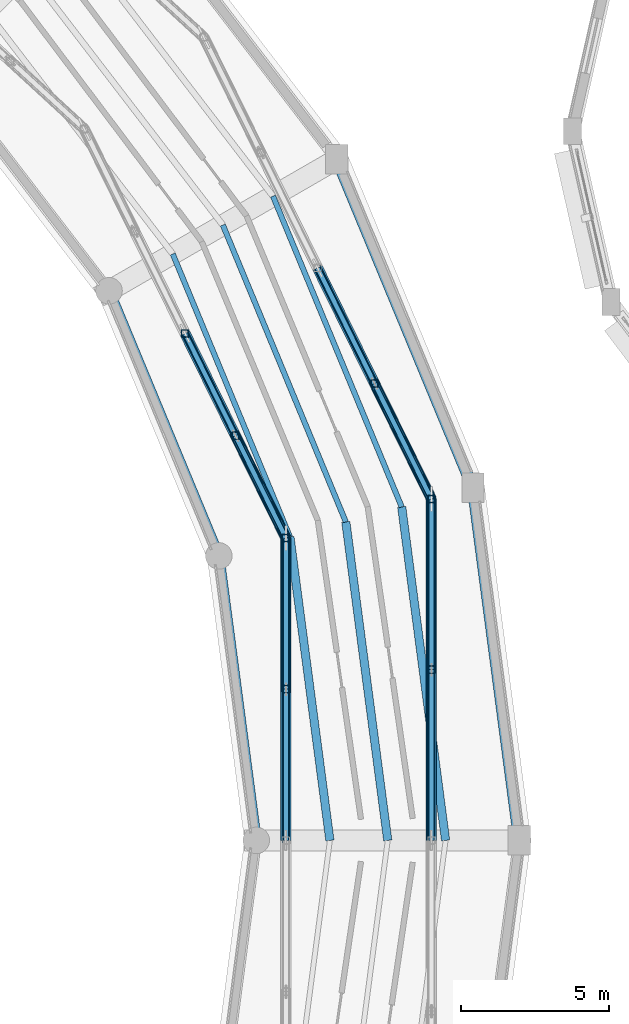
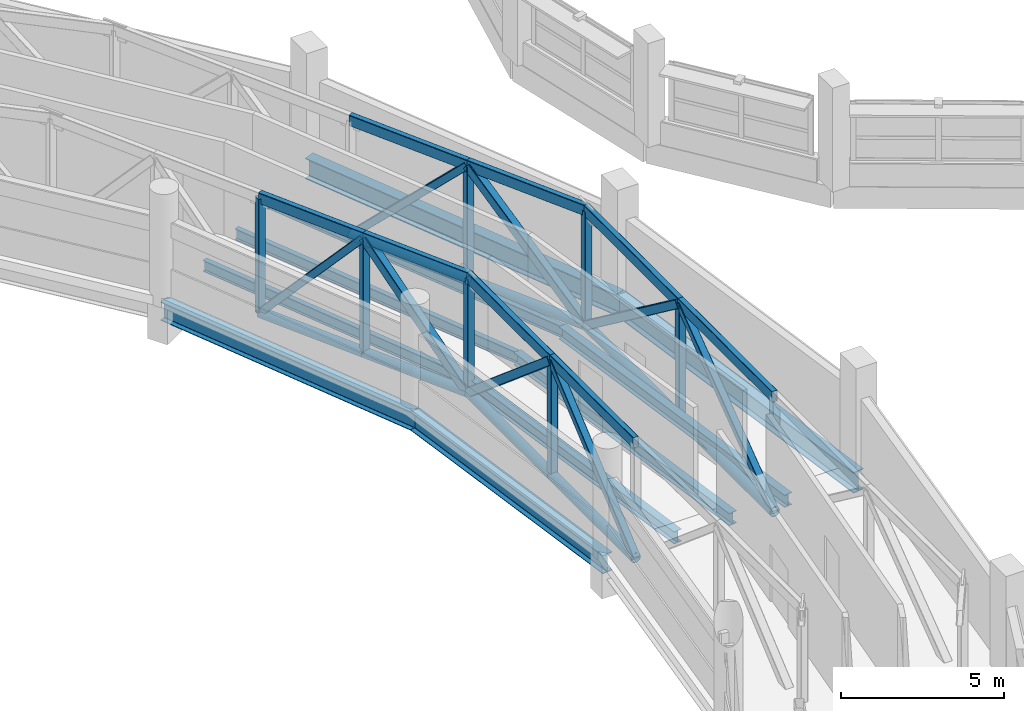
# One storey, part 50 of 121: 31 members, 10 beams.
"""IFC4 building model written with IfcOpenShell, lengths in metres."""

from ifc_helpers import new_model, si_unit, direction, frame, origin, origin_2d, place, context, subcontext, project, spatial, hollow_rectangle, hollow_circle, i_section, extrude, material, material_profile, profile_set, type_object, element, save


model = new_model("IFC4")

# Units and contexts
model_context = context("Model", 3, precision=1e-05, world=origin(), true_north=direction((0.0, 1.0)))
body_context = subcontext(model_context, "Body", "Model", "MODEL_VIEW")
ifc_project = project(units=[si_unit("LENGTHUNIT", "METRE"), si_unit("AREAUNIT", "SQUARE_METRE"), si_unit("VOLUMEUNIT", "CUBIC_METRE"), si_unit("PLANEANGLEUNIT", "RADIAN"), si_unit("MASSUNIT", "GRAM", prefix="KILO")], contexts=[model_context])

# Site, building, storey
site_placement = place(None, origin())
site = spatial("IfcSite", under=ifc_project, at=site_placement, CompositionType="ELEMENT")
building_placement = place(site_placement, origin())
building = spatial("IfcBuilding", under=site, at=building_placement, Name="Vespera Passage Community Centre", CompositionType="ELEMENT")
storey_placement = place(building_placement, frame((0.0, 0.0, 8.699951171875)))
storey = spatial("IfcBuildingStorey", under=building, at=storey_placement, Name="L02", CompositionType="ELEMENT", Elevation=8.699951171875)

# Members
ifc_material_1 = material(Name="Steel ASTM A500 Grade C", Category="steel")
ifc_material_profile_1 = material_profile(ifc_material_1, hollow_circle(Radius=0.177734375, WallThickness=0.014892578125, at=origin_2d()), Name="CHS356X15.9")
ifc_profile_set_1 = profile_set([ifc_material_profile_1], Name="Steel ASTM A500 Grade C")
member_type_1 = type_object("IfcMemberType", Name="BC-356", PredefinedType="CHORD", material=ifc_profile_set_1)
member_1_placement = place(storey_placement, frame((121.128662109375, 65.5, -0.849853515625), z_axis=(0.0, 1.0, 0.0), x_axis=(-1.0, 0.0, 0.0)))
element("IfcMember", 1, at=member_1_placement, inside=storey, type_object=member_type_1, Name="BC-356 Transfer Truss Chord TR5O.3", PredefinedType="CHORD", context=body_context, shape_type="SweptSolid", body=[
    extrude(hollow_circle(Radius=0.177734375, WallThickness=0.014892578125, at=origin_2d()), origin(), (0.0, 0.0, 1.0), 5.778076171875),
])
member_2_placement = place(storey_placement, frame((121.128662109375, 71.278076171875, -0.849853515625), z_axis=(0.0, 1.0, 0.0), x_axis=(-1.0, 0.0, 0.0)))
element("IfcMember", 2, at=member_2_placement, inside=storey, type_object=member_type_1, Name="BC-356 Transfer Truss Chord TR5O.4", PredefinedType="CHORD", context=body_context, shape_type="SweptSolid", body=[
    extrude(hollow_circle(Radius=0.177734375, WallThickness=0.014892578125, at=origin_2d()), origin(), (0.0, 0.0, 1.0), 5.7783203125),
])
for number, where, z_axis, x_axis, name in (
    (3, (116.202392578125, 65.5, -0.849853515625), (0.0, 1.0, 0.0), (-1.0, 0.0, 0.0), "BC-356 Transfer Truss Chord TR5I.3"),
    (4, (116.202392578125, 70.6181640625, -0.849853515625), (0.0, 1.0, 0.0), (-1.0, 0.0, 0.0), "BC-356 Transfer Truss Chord TR5I.4"),
):
    element("IfcMember", number, at=place(storey_placement, frame(where, z_axis=z_axis, x_axis=x_axis)), inside=storey, type_object=member_type_1, Name=name, PredefinedType="CHORD", context=body_context, shape_type="SweptSolid", body=[
        extrude(hollow_circle(Radius=0.177734375, WallThickness=0.014892578125, at=origin_2d()), origin(), (0.0, 0.0, 1.0), 5.1181640625),
    ])
member_3_placement = place(storey_placement, frame((121.128662109375, 77.056396484375, -0.849853515625), z_axis=(-0.442296190279, 0.896869042873, 0.0), x_axis=(-0.896869042873, -0.442296190279, 0.0)))
element("IfcMember", 5, at=member_3_placement, inside=storey, type_object=member_type_1, Name="BC-356 Transfer Truss Chord TR6O.1", PredefinedType="CHORD", context=body_context, shape_type="SweptSolid", body=[
    extrude(hollow_circle(Radius=0.177734375, WallThickness=0.014892578125, at=origin_2d()), origin(), (0.0, 0.0, 1.0), 4.355224609375),
])
member_4_placement = place(storey_placement, frame((119.202392578125, 80.96240234375, -0.849853515625), z_axis=(-0.442296807429, 0.896868738522, 0.0), x_axis=(-0.896868738522, -0.442296807429, 0.0)))
element("IfcMember", 6, at=member_4_placement, inside=storey, type_object=member_type_1, Name="BC-356 Transfer Truss Chord TR6O.2", PredefinedType="CHORD", context=body_context, shape_type="SweptSolid", body=[
    extrude(hollow_circle(Radius=0.177734375, WallThickness=0.014892578125, at=origin_2d()), origin(), (0.0, 0.0, 1.0), 4.355712890625),
])
member_5_placement = place(storey_placement, frame((116.202392578125, 75.736328125, -0.849853515625), z_axis=(-0.44229597074, 0.896869151141, 0.0), x_axis=(-0.896869151141, -0.44229597074, 0.0)))
element("IfcMember", 7, at=member_5_placement, inside=storey, type_object=member_type_1, Name="BC-356 Transfer Truss Chord TR6I.1", PredefinedType="CHORD", context=body_context, shape_type="SweptSolid", body=[
    extrude(hollow_circle(Radius=0.177734375, WallThickness=0.014892578125, at=origin_2d()), origin(), (0.0, 0.0, 1.0), 3.85791015625),
])
member_6_placement = place(storey_placement, frame((114.49609375, 79.1962890625, -0.849853515625), z_axis=(-0.44227086816, 0.89688153018, 0.0), x_axis=(-0.89688153018, -0.44227086816, 0.0)))
element("IfcMember", 8, at=member_6_placement, inside=storey, type_object=member_type_1, Name="BC-356 Transfer Truss Chord TR6I.2", PredefinedType="CHORD", context=body_context, shape_type="SweptSolid", body=[
    extrude(hollow_circle(Radius=0.177734375, WallThickness=0.014892578125, at=origin_2d()), origin(), (0.0, 0.0, 1.0), 3.858154296875),
])

# Beams
ifc_material_2 = material(Name="Steel ASTM A992 Grade 50", Category="steel")
ifc_material_profile_2 = material_profile(ifc_material_2, i_section(OverallWidth=0.180908203125, OverallDepth=0.417236328125, WebThickness=0.010986328125, FlangeThickness=0.018310546875, FilletRadius=0.01025390625, at=origin_2d()), Name="W16X57")
ifc_profile_set_2 = profile_set([ifc_material_profile_2], Name="Steel ASTM A992 Grade 50")
beam_type_1 = type_object("IfcBeamType", Name="BM-J-W16X57", PredefinedType="JOIST", material=ifc_profile_set_2)
beam_1_placement = place(storey_placement, frame((116.339599609375, 75.773193359375, -0.548583984375), z_axis=(-0.382697233288, 0.923873815861, 0.0), x_axis=(-0.923873815861, -0.382697233288, 0.0)))
element("IfcBeam", 9, at=beam_1_placement, inside=storey, type_object=beam_type_1, Name="V4 L02 Floor Joist 1.1", PredefinedType="JOIST", context=body_context, shape_type="SweptSolid", body=[
    extrude(i_section(OverallWidth=0.180908203125, OverallDepth=0.417236328125, WebThickness=0.010986328125, FlangeThickness=0.018310546875, FilletRadius=0.01025390625, at=origin_2d()), origin(), (0.0, 0.0, 1.0), 10.361572265625),
])
beam_2_placement = place(storey_placement, frame((118.230712890625, 76.27978515625, -0.548583984375), z_axis=(-0.382667773212, 0.923886018589, 0.0), x_axis=(-0.923886018589, -0.382667773212, 0.0)))
element("IfcBeam", 10, at=beam_2_placement, inside=storey, type_object=beam_type_1, Name="V4 L02 Floor Joist 1.2", PredefinedType="JOIST", context=body_context, shape_type="SweptSolid", body=[
    extrude(i_section(OverallWidth=0.180908203125, OverallDepth=0.417236328125, WebThickness=0.010986328125, FlangeThickness=0.018310546875, FilletRadius=0.01025390625, at=origin_2d()), origin(), (0.0, 0.0, 1.0), 10.872802734375),
])
beam_3_placement = place(storey_placement, frame((120.1220703125, 76.78662109375, -0.548583984375), z_axis=(-0.382685152097, 0.923878820173, 0.0), x_axis=(-0.923878820173, -0.382685152097, 0.0)))
element("IfcBeam", 11, at=beam_3_placement, inside=storey, type_object=beam_type_1, Name="V4 L02 Floor Joist 1.3", PredefinedType="JOIST", context=body_context, shape_type="SweptSolid", body=[
    extrude(i_section(OverallWidth=0.180908203125, OverallDepth=0.417236328125, WebThickness=0.010986328125, FlangeThickness=0.018310546875, FilletRadius=0.01025390625, at=origin_2d()), origin(), (0.0, 0.0, 1.0), 11.3837890625),
])
ifc_material_3 = material(Name="Steel ASTM A992 Grade 50", Category="steel")
ifc_material_profile_3 = material_profile(ifc_material_3, i_section(OverallWidth=0.280517578125, OverallDepth=0.46240234375, WebThickness=0.0107421875, FlangeThickness=0.017333984375, FilletRadius=0.01025390625, at=origin_2d()), Name="W18X76")
ifc_profile_set_3 = profile_set([ifc_material_profile_3], Name="Steel ASTM A992 Grade 50")
beam_type_2 = type_object("IfcBeamType", Name="BM-J-W18X76", PredefinedType="JOIST", material=ifc_profile_set_3)
beam_4_placement = place(storey_placement, frame((117.69189453125, 65.5, -0.571044921875), z_axis=(-0.130507537947, 0.991447317077, 0.0), x_axis=(-0.991447317077, -0.130507537947, 0.0)))
element("IfcBeam", 12, at=beam_4_placement, inside=storey, type_object=beam_type_2, Name="V4 L02 Floor Joist 0.1", PredefinedType="JOIST", context=body_context, shape_type="SweptSolid", body=[
    extrude(i_section(OverallWidth=0.280517578125, OverallDepth=0.46240234375, WebThickness=0.0107421875, FlangeThickness=0.017333984375, FilletRadius=0.01025390625, at=origin_2d()), origin(), (0.0, 0.0, 1.0), 10.36181640625),
])
beam_5_placement = place(storey_placement, frame((119.64990234375, 65.5, -0.571044921875), z_axis=(-0.130526537014, 0.991444815981, 0.0), x_axis=(-0.991444815981, -0.130526537014, 0.0)))
element("IfcBeam", 13, at=beam_5_placement, inside=storey, type_object=beam_type_2, Name="V4 L02 Floor Joist 0.2", PredefinedType="JOIST", context=body_context, shape_type="SweptSolid", body=[
    extrude(i_section(OverallWidth=0.280517578125, OverallDepth=0.46240234375, WebThickness=0.0107421875, FlangeThickness=0.017333984375, FilletRadius=0.01025390625, at=origin_2d()), origin(), (0.0, 0.0, 1.0), 10.872802734375),
])
beam_6_placement = place(storey_placement, frame((121.60791015625, 65.5, -0.571044921875), z_axis=(-0.130519974222, 0.991445679969, 0.0), x_axis=(-0.991445679969, -0.130519974222, 0.0)))
element("IfcBeam", 14, at=beam_6_placement, inside=storey, type_object=beam_type_2, Name="V4 L02 Floor Joist 0.3", PredefinedType="JOIST", context=body_context, shape_type="SweptSolid", body=[
    extrude(i_section(OverallWidth=0.280517578125, OverallDepth=0.46240234375, WebThickness=0.0107421875, FlangeThickness=0.017333984375, FilletRadius=0.01025390625, at=origin_2d()), origin(), (0.0, 0.0, 1.0), 11.384033203125),
])
ifc_material_4 = material(Name="Steel ASTM A992 Grade 50", Category="steel")
ifc_material_profile_4 = material_profile(ifc_material_4, i_section(OverallWidth=0.3544921875, OverallDepth=0.695556640625, WebThickness=0.015380859375, FlangeThickness=0.024658203125, FilletRadius=0.01513671875, at=origin_2d()), Name="W27X146")
ifc_profile_set_4 = profile_set([ifc_material_profile_4], Name="Steel ASTM A992 Grade 50")
beam_type_3 = type_object("IfcBeamType", Name="BM-SP-W27X146E", PredefinedType="SPANDREL", material=ifc_profile_set_4)
for number, where, z_axis, x_axis, name in (
    (15, (115.199951171875, 65.5, -0.687744140625), (-0.130526697639, 0.991444794834, 0.0), (-0.991444794834, -0.130526697639, 0.0), "V4 L02 Inner Spandrel 0"),
    (16, (113.932373046875, 75.128173828125, -0.687744140625), (-0.382684844258, 0.923878947685, 0.0), (-0.923878947685, -0.382684844258, 0.0), "V4 L02 Inner Spandrel 1"),
):
    element("IfcBeam", number, at=place(storey_placement, frame(where, z_axis=z_axis, x_axis=x_axis)), inside=storey, type_object=beam_type_3, Name=name, PredefinedType="SPANDREL", context=body_context, shape_type="SweptSolid", body=[
        extrude(i_section(OverallWidth=0.3544921875, OverallDepth=0.695556640625, WebThickness=0.015380859375, FlangeThickness=0.024658203125, FilletRadius=0.01513671875, at=origin_2d()), origin(), (0.0, 0.0, 1.0), 9.711181640625),
    ])
ifc_material_5 = material(Name="Steel ASTM A992 Grade 50", Category="steel")
ifc_material_profile_5 = material_profile(ifc_material_5, i_section(OverallWidth=0.382080078125, OverallDepth=0.779296875, WebThickness=0.01806640625, FlangeThickness=0.030029296875, FilletRadius=0.0166015625, at=origin_2d()), Name="W30X191")
ifc_profile_set_5 = profile_set([ifc_material_profile_5], Name="Steel ASTM A992 Grade 50")
beam_type_4 = type_object("IfcBeamType", Name="BM-SP-W30X191E", PredefinedType="SPANDREL", material=ifc_profile_set_5)
beam_7_placement = place(storey_placement, frame((124.10009765625, 65.5, -0.729736328125), z_axis=(-0.130523782115, 0.991445178667, 0.0), x_axis=(-0.991445178667, -0.130523782115, 0.0)))
element("IfcBeam", 17, at=beam_7_placement, inside=storey, type_object=beam_type_4, Name="V4 L02 Outer Spandrel 0", PredefinedType="SPANDREL", context=body_context, shape_type="SweptSolid", body=[
    extrude(i_section(OverallWidth=0.382080078125, OverallDepth=0.779296875, WebThickness=0.01806640625, FlangeThickness=0.030029296875, FilletRadius=0.0166015625, at=origin_2d()), origin(), (0.0, 0.0, 1.0), 12.03466796875),
])
beam_8_placement = place(storey_placement, frame((122.529296875, 77.431640625, -0.729736328125), z_axis=(-0.382688629799, 0.923877379647, 0.0), x_axis=(-0.923877379647, -0.382688629799, 0.0)))
element("IfcBeam", 18, at=beam_8_placement, inside=storey, type_object=beam_type_4, Name="V4 L02 Outer Spandrel 1", PredefinedType="SPANDREL", context=body_context, shape_type="SweptSolid", body=[
    extrude(i_section(OverallWidth=0.382080078125, OverallDepth=0.779296875, WebThickness=0.01806640625, FlangeThickness=0.030029296875, FilletRadius=0.0166015625, at=origin_2d()), origin(), (0.0, 0.0, 1.0), 12.034423828125),
])

# Members
ifc_material_6 = material(Name="Steel ASTM A500 Grade C", Category="steel")
ifc_material_profile_6 = material_profile(ifc_material_6, hollow_rectangle(XDim=0.203125, YDim=0.406494140625, WallThickness=0.014892578125, InnerFilletRadius=0.014892578125, OuterFilletRadius=0.029541015625, at=origin_2d()), Name="HSS406X203X15.9")
ifc_profile_set_6 = profile_set([ifc_material_profile_6], Name="Steel ASTM A500 Grade C")
member_type_2 = type_object("IfcMemberType", Name="TC-406", PredefinedType="CHORD", material=ifc_profile_set_6)
member_7_placement = place(storey_placement, frame((121.128662109375, 65.5, 3.47998046875), z_axis=(0.0, 1.0, 0.0), x_axis=(-1.0, 0.0, 0.0)))
element("IfcMember", 19, at=member_7_placement, inside=storey, type_object=member_type_2, Name="TC-406 Transfer Truss Chord TR5O.3", PredefinedType="CHORD", context=body_context, shape_type="SweptSolid", body=[
    extrude(hollow_rectangle(XDim=0.203125, YDim=0.406494140625, WallThickness=0.014892578125, InnerFilletRadius=0.014892578125, OuterFilletRadius=0.029541015625, at=origin_2d()), origin(), (0.0, 0.0, 1.0), 5.778076171875),
])
member_8_placement = place(storey_placement, frame((121.128662109375, 71.278076171875, 3.47998046875), z_axis=(0.0, 1.0, 0.0), x_axis=(-1.0, 0.0, 0.0)))
element("IfcMember", 20, at=member_8_placement, inside=storey, type_object=member_type_2, Name="TC-406 Transfer Truss Chord TR5O.4", PredefinedType="CHORD", context=body_context, shape_type="SweptSolid", body=[
    extrude(hollow_rectangle(XDim=0.203125, YDim=0.406494140625, WallThickness=0.014892578125, InnerFilletRadius=0.014892578125, OuterFilletRadius=0.029541015625, at=origin_2d()), origin(), (0.0, 0.0, 1.0), 5.7783203125),
])
for number, where, z_axis, x_axis, name in (
    (21, (116.202392578125, 65.5, 3.47998046875), (0.0, 1.0, 0.0), (-1.0, 0.0, 0.0), "TC-406 Transfer Truss Chord TR5I.3"),
    (22, (116.202392578125, 70.6181640625, 3.47998046875), (0.0, 1.0, 0.0), (-1.0, 0.0, 0.0), "TC-406 Transfer Truss Chord TR5I.4"),
):
    element("IfcMember", number, at=place(storey_placement, frame(where, z_axis=z_axis, x_axis=x_axis)), inside=storey, type_object=member_type_2, Name=name, PredefinedType="CHORD", context=body_context, shape_type="SweptSolid", body=[
        extrude(hollow_rectangle(XDim=0.203125, YDim=0.406494140625, WallThickness=0.014892578125, InnerFilletRadius=0.014892578125, OuterFilletRadius=0.029541015625, at=origin_2d()), origin(), (0.0, 0.0, 1.0), 5.1181640625),
    ])
member_9_placement = place(storey_placement, frame((121.128662109375, 77.056396484375, 3.47998046875), z_axis=(-0.442296190279, 0.896869042873, 0.0), x_axis=(-0.896869042873, -0.442296190279, 0.0)))
element("IfcMember", 23, at=member_9_placement, inside=storey, type_object=member_type_2, Name="TC-406 Transfer Truss Chord TR6O.1", PredefinedType="CHORD", context=body_context, shape_type="SweptSolid", body=[
    extrude(hollow_rectangle(XDim=0.203125, YDim=0.406494140625, WallThickness=0.014892578125, InnerFilletRadius=0.014892578125, OuterFilletRadius=0.029541015625, at=origin_2d()), origin(), (0.0, 0.0, 1.0), 4.355224609375),
])
member_10_placement = place(storey_placement, frame((119.202392578125, 80.96240234375, 3.47998046875), z_axis=(-0.442296807429, 0.896868738522, 0.0), x_axis=(-0.896868738522, -0.442296807429, 0.0)))
element("IfcMember", 24, at=member_10_placement, inside=storey, type_object=member_type_2, Name="TC-406 Transfer Truss Chord TR6O.2", PredefinedType="CHORD", context=body_context, shape_type="SweptSolid", body=[
    extrude(hollow_rectangle(XDim=0.203125, YDim=0.406494140625, WallThickness=0.014892578125, InnerFilletRadius=0.014892578125, OuterFilletRadius=0.029541015625, at=origin_2d()), origin(), (0.0, 0.0, 1.0), 4.355712890625),
])
member_11_placement = place(storey_placement, frame((116.202392578125, 75.736328125, 3.47998046875), z_axis=(-0.44229597074, 0.896869151141, 0.0), x_axis=(-0.896869151141, -0.44229597074, 0.0)))
element("IfcMember", 25, at=member_11_placement, inside=storey, type_object=member_type_2, Name="TC-406 Transfer Truss Chord TR6I.1", PredefinedType="CHORD", context=body_context, shape_type="SweptSolid", body=[
    extrude(hollow_rectangle(XDim=0.203125, YDim=0.406494140625, WallThickness=0.014892578125, InnerFilletRadius=0.014892578125, OuterFilletRadius=0.029541015625, at=origin_2d()), origin(), (0.0, 0.0, 1.0), 3.85791015625),
])
member_12_placement = place(storey_placement, frame((114.49609375, 79.1962890625, 3.47998046875), z_axis=(-0.44227086816, 0.89688153018, 0.0), x_axis=(-0.89688153018, -0.44227086816, 0.0)))
element("IfcMember", 26, at=member_12_placement, inside=storey, type_object=member_type_2, Name="TC-406 Transfer Truss Chord TR6I.2", PredefinedType="CHORD", context=body_context, shape_type="SweptSolid", body=[
    extrude(hollow_rectangle(XDim=0.203125, YDim=0.406494140625, WallThickness=0.014892578125, InnerFilletRadius=0.014892578125, OuterFilletRadius=0.029541015625, at=origin_2d()), origin(), (0.0, 0.0, 1.0), 3.858154296875),
])
ifc_material_7 = material(Name="Steel ASTM A500 Grade C", Category="steel")
ifc_material_profile_7 = material_profile(ifc_material_7, hollow_rectangle(XDim=0.25390625, YDim=0.25390625, WallThickness=0.01171875, InnerFilletRadius=0.01171875, OuterFilletRadius=0.023681640625, at=origin_2d()), Name="HSS254X254X12.7")
ifc_profile_set_7 = profile_set([ifc_material_profile_7], Name="Steel ASTM A500 Grade C")
member_type_3 = type_object("IfcMemberType", Name="TD-254", PredefinedType="BRACE", material=ifc_profile_set_7)
member_13_placement = place(storey_placement, frame((121.128662109375, 65.5, -0.849853515625), z_axis=(0.0, 0.800247441598, 0.599669936061), x_axis=(-1.0, 0.0, 0.0)))
element("IfcMember", 27, at=member_13_placement, inside=storey, type_object=member_type_3, Name="TD-254 Transfer Truss Diagonal TR5O.3", PredefinedType="BRACE", context=body_context, shape_type="SweptSolid", body=[
    extrude(hollow_rectangle(XDim=0.25390625, YDim=0.25390625, WallThickness=0.01171875, InnerFilletRadius=0.01171875, OuterFilletRadius=0.023681640625, at=origin_2d()), origin(), (0.0, 0.0, 1.0), 7.220458984375),
])
member_14_placement = place(storey_placement, frame((116.202392578125, 65.5, -0.849853515625), z_axis=(0.0, 0.763453967275, 0.64586224526), x_axis=(-1.0, 0.0, 0.0)))
element("IfcMember", 28, at=member_14_placement, inside=storey, type_object=member_type_3, Name="TD-254 Transfer Truss Diagonal TR5I.3", PredefinedType="BRACE", context=body_context, shape_type="SweptSolid", body=[
    extrude(hollow_rectangle(XDim=0.25390625, YDim=0.25390625, WallThickness=0.01171875, InnerFilletRadius=0.01171875, OuterFilletRadius=0.023681640625, at=origin_2d()), origin(), (0.0, 0.0, 1.0), 6.703857421875),
])
member_15_placement = place(storey_placement, frame((119.202392578125, 80.96240234375, 3.47998046875), z_axis=(-0.313681190154, 0.636068017191, -0.704997580457), x_axis=(-0.896868738522, -0.442296807429, 0.0)))
element("IfcMember", 29, at=member_15_placement, inside=storey, type_object=member_type_3, Name="TD-254 Transfer Truss Diagonal TR6O.2", PredefinedType="BRACE", context=body_context, shape_type="SweptSolid", body=[
    extrude(hollow_rectangle(XDim=0.25390625, YDim=0.25390625, WallThickness=0.01171875, InnerFilletRadius=0.01171875, OuterFilletRadius=0.023681640625, at=origin_2d()), origin(), (0.0, 0.0, 1.0), 6.1416015625),
])
member_16_placement = place(storey_placement, frame((114.49609375, 79.1962890625, 3.47998046875), z_axis=(-0.294224714949, 0.596658589922, -0.746612579713), x_axis=(-0.89688153018, -0.44227086816, 0.0)))
element("IfcMember", 30, at=member_16_placement, inside=storey, type_object=member_type_3, Name="TD-254 Transfer Truss Diagonal TR6I.2", PredefinedType="BRACE", context=body_context, shape_type="SweptSolid", body=[
    extrude(hollow_rectangle(XDim=0.25390625, YDim=0.25390625, WallThickness=0.01171875, InnerFilletRadius=0.01171875, OuterFilletRadius=0.023681640625, at=origin_2d()), origin(), (0.0, 0.0, 1.0), 5.79931640625),
])
ifc_material_8 = material(Name="Steel ASTM A500 Grade C", Category="steel")
ifc_material_profile_8 = material_profile(ifc_material_8, hollow_rectangle(XDim=0.3046875, YDim=0.3046875, WallThickness=0.014892578125, InnerFilletRadius=0.014892578125, OuterFilletRadius=0.029541015625, at=origin_2d()), Name="HSS305X305X15.9")
ifc_profile_set_8 = profile_set([ifc_material_profile_8], Name="Steel ASTM A500 Grade C")
member_type_4 = type_object("IfcMemberType", Name="TD-305", PredefinedType="BRACE", material=ifc_profile_set_8)
member_17_placement = place(storey_placement, frame((121.128662109375, 71.278076171875, 3.47998046875), z_axis=(0.0, 0.800259600323, -0.599653710146), x_axis=(-1.0, 0.0, 0.0)))
element("IfcMember", 31, at=member_17_placement, inside=storey, type_object=member_type_4, Name="TD-305 Transfer Truss Diagonal TR5O.4", PredefinedType="BRACE", context=body_context, shape_type="SweptSolid", body=[
    extrude(hollow_rectangle(XDim=0.3046875, YDim=0.3046875, WallThickness=0.014892578125, InnerFilletRadius=0.014892578125, OuterFilletRadius=0.029541015625, at=origin_2d()), origin(), (0.0, 0.0, 1.0), 7.220458984375),
])
member_18_placement = place(storey_placement, frame((116.202392578125, 70.6181640625, 3.47998046875), z_axis=(0.0, 0.763453967275, -0.64586224526), x_axis=(-1.0, 0.0, 0.0)))
element("IfcMember", 32, at=member_18_placement, inside=storey, type_object=member_type_4, Name="TD-305 Transfer Truss Diagonal TR5I.4", PredefinedType="BRACE", context=body_context, shape_type="SweptSolid", body=[
    extrude(hollow_rectangle(XDim=0.3046875, YDim=0.3046875, WallThickness=0.014892578125, InnerFilletRadius=0.014892578125, OuterFilletRadius=0.029541015625, at=origin_2d()), origin(), (0.0, 0.0, 1.0), 6.703857421875),
])
member_19_placement = place(storey_placement, frame((121.128662109375, 77.056396484375, -0.849853515625), z_axis=(-0.313661210672, 0.63602860704, 0.705042024242), x_axis=(-0.896869042873, -0.442296190279, 0.0)))
element("IfcMember", 33, at=member_19_placement, inside=storey, type_object=member_type_4, Name="TD-305 Transfer Truss Diagonal TR6O.1", PredefinedType="BRACE", context=body_context, shape_type="SweptSolid", body=[
    extrude(hollow_rectangle(XDim=0.3046875, YDim=0.3046875, WallThickness=0.014892578125, InnerFilletRadius=0.014892578125, OuterFilletRadius=0.029541015625, at=origin_2d()), origin(), (0.0, 0.0, 1.0), 6.141357421875),
])
member_20_placement = place(storey_placement, frame((116.202392578125, 75.736328125, -0.849853515625), z_axis=(-0.294232105387, 0.596631477685, 0.746631333386), x_axis=(-0.896869151141, -0.44229597074, 0.0)))
element("IfcMember", 34, at=member_20_placement, inside=storey, type_object=member_type_4, Name="TD-305 Transfer Truss Diagonal TR6I.1", PredefinedType="BRACE", context=body_context, shape_type="SweptSolid", body=[
    extrude(hollow_rectangle(XDim=0.3046875, YDim=0.3046875, WallThickness=0.014892578125, InnerFilletRadius=0.014892578125, OuterFilletRadius=0.029541015625, at=origin_2d()), origin(), (0.0, 0.0, 1.0), 5.799072265625),
])
ifc_material_9 = material(Name="Steel ASTM A500 Grade C", Category="steel")
ifc_material_profile_9 = material_profile(ifc_material_9, hollow_rectangle(XDim=0.25390625, YDim=0.25390625, WallThickness=0.01171875, InnerFilletRadius=0.01171875, OuterFilletRadius=0.023681640625, at=origin_2d()), Name="HSS254X254X12.7")
ifc_profile_set_9 = profile_set([ifc_material_profile_9], Name="Steel ASTM A500 Grade C")
member_type_5 = type_object("IfcMemberType", Name="TP-254", PredefinedType="POST", material=ifc_profile_set_9)
for number, where, z_axis, x_axis, name in (
    (35, (121.128662109375, 71.278076171875, -0.849853515625), (0.0, 0.0, 1.0), (1.0, 0.0, 0.0), "Truss TR5O Vertical Post 4"),
    (36, (121.128662109375, 77.056396484375, -0.849853515625), (0.0, 0.0, 1.0), (1.0, 0.0, 0.0), "Truss TR5O Vertical Post 5"),
    (37, (116.202392578125, 70.6181640625, -0.849853515625), (0.0, 0.0, 1.0), (1.0, 0.0, 0.0), "Truss TR5I Vertical Post 4"),
    (38, (116.202392578125, 75.736328125, -0.849853515625), (0.0, 0.0, 1.0), (1.0, 0.0, 0.0), "Truss TR5I Vertical Post 5"),
    (39, (119.202392578125, 80.96240234375, -0.849853515625), (0.0, 0.0, 1.0), (1.0, 0.0, 0.0), "Truss TR6O Vertical Post 2"),
    (40, (114.49609375, 79.1962890625, -0.849853515625), (0.0, 0.0, 1.0), (1.0, 0.0, 0.0), "Truss TR6I Vertical Post 2"),
    (41, (112.789794921875, 82.656494140625, -0.849853515625), (0.0, 0.0, 1.0), (1.0, 0.0, 0.0), "Truss TR6I Vertical Post 3"),
):
    element("IfcMember", number, at=place(storey_placement, frame(where, z_axis=z_axis, x_axis=x_axis)), inside=storey, type_object=member_type_5, Name=name, PredefinedType="POST", context=body_context, shape_type="SweptSolid", body=[
        extrude(hollow_rectangle(XDim=0.25390625, YDim=0.25390625, WallThickness=0.01171875, InnerFilletRadius=0.01171875, OuterFilletRadius=0.023681640625, at=origin_2d()), origin(), (0.0, 0.0, 1.0), 4.329833984375),
    ])

save(model, "model.ifc")
